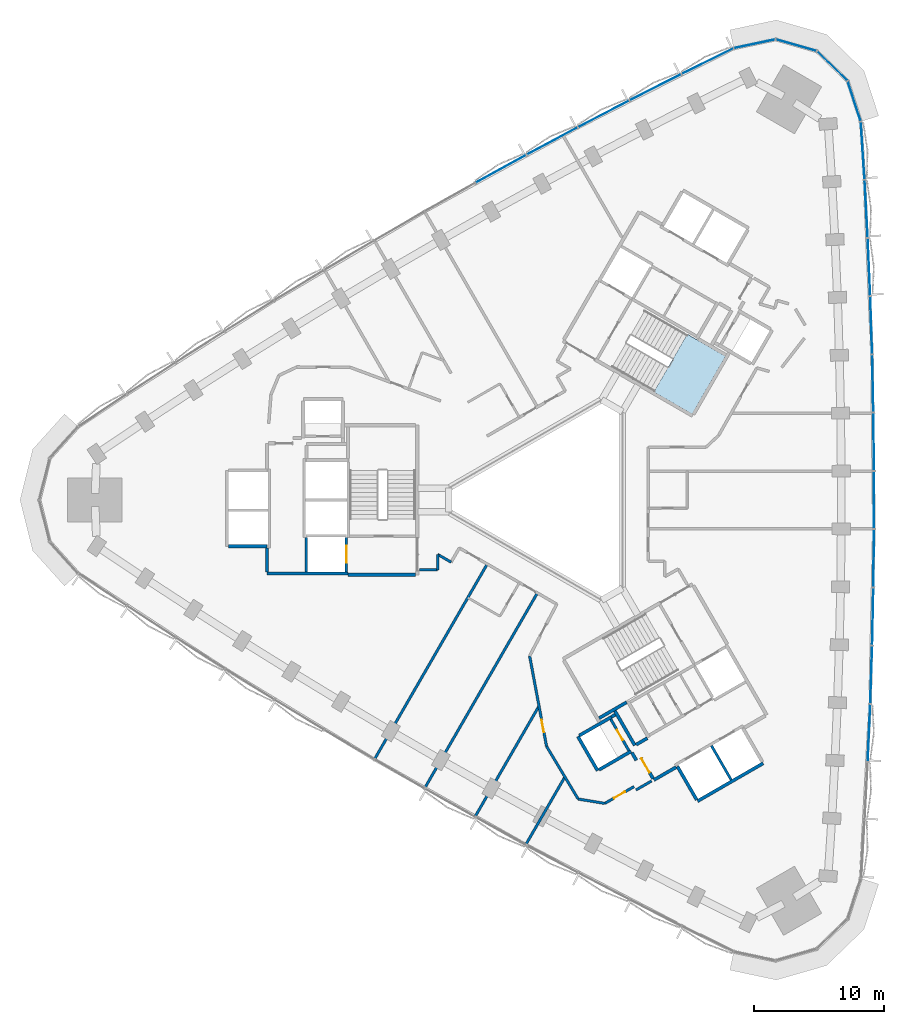
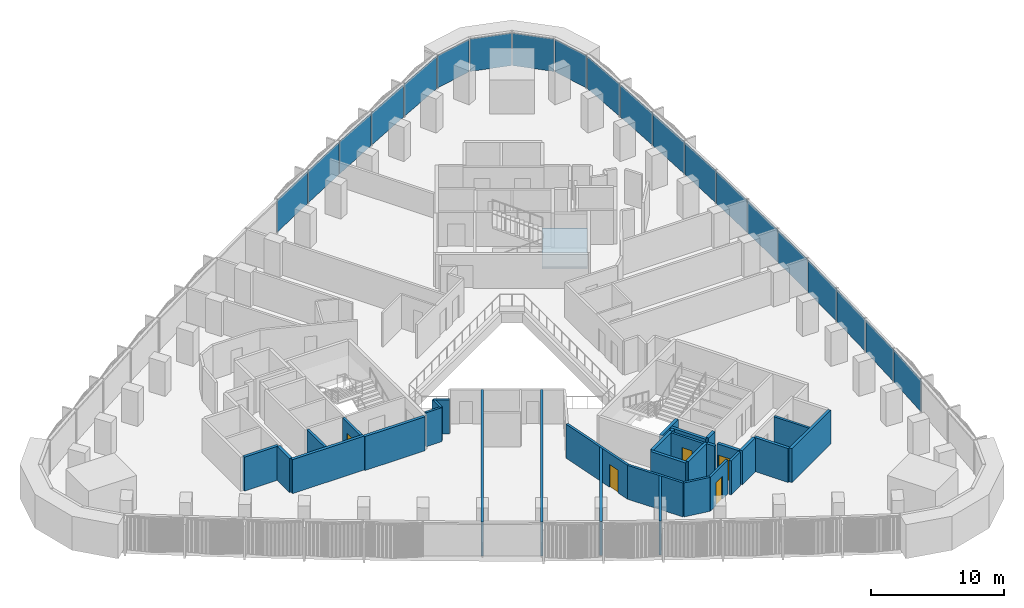
# One storey, part 8 of 15: 32 walls, 20 plates, 5 doors, 1 slab, 5 openings, 3 elements without a shape of their own.
"""IFC4 building model written with IfcOpenShell, lengths in metres."""

from ifc_helpers import new_model, si_unit, direction, frame, frame_2d, origin, origin_2d, place, context, subcontext, project, spatial, polyline, rectangle, outline, extrude, material, layer, layer_set, type_object, element, fill, aggregate, save


model = new_model("IFC4")

# Units and contexts
model_context = context("Model", 3, precision=1e-05, world=origin(), true_north=direction((0.0, 1.0)))
body_context = subcontext(model_context, "Body", "Model", "MODEL_VIEW")
ifc_project = project(units=[si_unit("LENGTHUNIT", "METRE"), si_unit("AREAUNIT", "SQUARE_METRE"), si_unit("VOLUMEUNIT", "CUBIC_METRE"), si_unit("PLANEANGLEUNIT", "RADIAN"), si_unit("MASSUNIT", "GRAM", prefix="KILO")], contexts=[model_context])

# Site, building, storey
site_placement = place(None, origin())
site = spatial("IfcSite", under=ifc_project, at=site_placement, CompositionType="ELEMENT")
building_placement = place(site_placement, origin())
building = spatial("IfcBuilding", under=site, at=building_placement, Name="Tamra Quay Hotel Tower", CompositionType="ELEMENT")
storey_placement = place(building_placement, frame((0.0, 0.0, 63.800048828125)))
storey = spatial("IfcBuildingStorey", under=building, at=storey_placement, Name="L14", CompositionType="ELEMENT", Elevation=63.800048828125)

# Stair, slab
ifc_material_1 = material(Name="Exit stair 2200 24 risers 150.0 going 342")
stair_type = type_object("IfcStairType", Name="Exit stair 2200 24 risers 150.0 going 342", PredefinedType="HALF_TURN_STAIR", material=ifc_material_1)
stair_placement = place(storey_placement, origin())
stair = element("IfcStair", 1, at=stair_placement, inside=storey, type_object=stair_type, Name="L14 Exit stair ST1", PredefinedType="HALF_TURN_STAIR")
ifc_material_2 = material(Name="Concrete M70", Category="concrete")
ifc_layer_1 = layer(ifc_material_2, 0.175048828125)
ifc_layer_set_1 = layer_set([ifc_layer_1], Name="Concrete M70 stair landing 180")
slab_type = type_object("IfcSlabType", Name="Concrete M70 stair landing 180", PredefinedType="LANDING", material=ifc_layer_set_1)
slab_placement = place(storey_placement, frame((0.0, 0.0, 1.625)))
slab = element("IfcSlab", 2, at=slab_placement, type_object=slab_type, Name="ST1 landing 1", PredefinedType="LANDING", context=body_context, shape_type="SweptSolid", body=[
    extrude(outline(polyline([(7.425048828125, 8.336669921875), (10.385009765625, 6.627685546875), (12.964599609375, 11.095458984375), (10.00439453125, 12.804443359375), (7.425048828125, 8.336669921875)])), origin(), (0.0, 0.0, 1.0), 0.175048828125),
])
aggregate(stair, [slab])

# Curtain wall, plates
ifc_material_3 = material(Name="Aluminium 6063 anodised dark grey", Category="aluminium")
curtain_wall_type_1 = type_object("IfcCurtainWallType", Name="CW1 CURTAIN WALL", PredefinedType="NOTDEFINED", material=ifc_material_3)
curtain_wall_1_placement = place(storey_placement, origin())
curtain_wall_1 = element("IfcCurtainWall", 3, at=curtain_wall_1_placement, inside=storey, type_object=curtain_wall_type_1, Name="CW1 east face L14", PredefinedType="NOTDEFINED")
ifc_material_4 = material(Name="Glass clear laminated low-iron", Category="glass")
ifc_layer_2 = layer(ifc_material_4, 0.035888671875)
ifc_layer_set_2 = layer_set([ifc_layer_2], Name="GLASS PANEL CW1 Z1")
plate_type_1 = type_object("IfcPlateType", Name="GLASS PANEL CW1 Z1", PredefinedType="CURTAIN_PANEL", material=ifc_layer_set_2)
plate_1_placement = place(storey_placement, frame((24.04052734375, -17.985107421875, 0.0), z_axis=(0.0, 0.0, 1.0), x_axis=(0.043285462035, 0.999062745165, 0.0)))
plate_1 = element("IfcPlate", 4, at=plate_1_placement, type_object=plate_type_1, Name="CW1 glass L14.E.3", PredefinedType="CURTAIN_PANEL", context=body_context, shape_type="SweptSolid", body=[
    extrude(rectangle(XDim=4.397216796875, YDim=0.035888671875, at=origin_2d()), origin(), (0.0, 0.0, 1.0), 2.985107421875),
])
plate_2_placement = place(storey_placement, frame((24.2109375, -13.490966796875, 0.0), z_axis=(0.0, 0.0, 1.0), x_axis=(0.032474799035, 0.999472554615, 0.0)))
plate_2 = element("IfcPlate", 5, at=plate_2_placement, type_object=plate_type_1, Name="CW1 glass L14.E.4", PredefinedType="CURTAIN_PANEL", context=body_context, shape_type="SweptSolid", body=[
    extrude(rectangle(XDim=4.397216796875, YDim=0.035888671875, at=origin_2d()), origin(), (0.0, 0.0, 1.0), 2.985107421875),
])
plate_3_placement = place(storey_placement, frame((24.332763671875, -8.99462890625, 0.0), z_axis=(0.0, 0.0, 1.0), x_axis=(0.021657440572, 0.999765450127, 0.0)))
plate_3 = element("IfcPlate", 6, at=plate_3_placement, type_object=plate_type_1, Name="CW1 glass L14.E.5", PredefinedType="CURTAIN_PANEL", context=body_context, shape_type="SweptSolid", body=[
    extrude(rectangle(XDim=4.39892578125, YDim=0.035888671875, at=origin_2d()), origin(), (0.0, 0.0, 1.0), 2.985107421875),
])
plate_4_placement = place(storey_placement, frame((24.40576171875, -4.4970703125, 0.0), z_axis=(0.0, 0.0, 1.0), x_axis=(0.010835825783, 0.999941290716, 0.0)))
plate_4 = element("IfcPlate", 7, at=plate_4_placement, type_object=plate_type_1, Name="CW1 glass L14.E.6", PredefinedType="CURTAIN_PANEL", context=body_context, shape_type="SweptSolid", body=[
    extrude(rectangle(XDim=4.397216796875, YDim=0.035888671875, at=origin_2d()), origin(), (0.0, 0.0, 1.0), 2.985107421875),
])
plate_5_placement = place(storey_placement, frame((24.43017578125, 0.0, 0.0), z_axis=(0.0, 0.0, 1.0), x_axis=(0.0, 1.0, 0.0)))
plate_5 = element("IfcPlate", 8, at=plate_5_placement, type_object=plate_type_1, Name="CW1 glass L14.E.7", PredefinedType="CURTAIN_PANEL", context=body_context, shape_type="SweptSolid", body=[
    extrude(rectangle(XDim=4.397216796875, YDim=0.035888671875, at=origin_2d()), origin(), (0.0, 0.0, 1.0), 2.985107421875),
])
plate_6_placement = place(storey_placement, frame((24.40576171875, 4.4970703125, 0.0), z_axis=(0.0, 0.0, 1.0), x_axis=(-0.010835825783, 0.999941290716, 0.0)))
plate_6 = element("IfcPlate", 9, at=plate_6_placement, type_object=plate_type_1, Name="CW1 glass L14.E.8", PredefinedType="CURTAIN_PANEL", context=body_context, shape_type="SweptSolid", body=[
    extrude(rectangle(XDim=4.397216796875, YDim=0.035888671875, at=origin_2d()), origin(), (0.0, 0.0, 1.0), 2.985107421875),
])
plate_7_placement = place(storey_placement, frame((24.332763671875, 8.99462890625, 0.0), z_axis=(0.0, 0.0, 1.0), x_axis=(-0.021657440572, 0.999765450127, 0.0)))
plate_7 = element("IfcPlate", 10, at=plate_7_placement, type_object=plate_type_1, Name="CW1 glass L14.E.9", PredefinedType="CURTAIN_PANEL", context=body_context, shape_type="SweptSolid", body=[
    extrude(rectangle(XDim=4.39892578125, YDim=0.035888671875, at=origin_2d()), origin(), (0.0, 0.0, 1.0), 2.985107421875),
])
plate_8_placement = place(storey_placement, frame((24.2109375, 13.490966796875, 0.0), z_axis=(0.0, 0.0, 1.0), x_axis=(-0.032474799035, 0.999472554615, 0.0)))
plate_8 = element("IfcPlate", 11, at=plate_8_placement, type_object=plate_type_1, Name="CW1 glass L14.E.10", PredefinedType="CURTAIN_PANEL", context=body_context, shape_type="SweptSolid", body=[
    extrude(rectangle(XDim=4.397216796875, YDim=0.035888671875, at=origin_2d()), origin(), (0.0, 0.0, 1.0), 2.985107421875),
])
plate_9_placement = place(storey_placement, frame((24.04052734375, 17.985107421875, 0.0), z_axis=(0.0, 0.0, 1.0), x_axis=(-0.043285462035, 0.999062745165, 0.0)))
plate_9 = element("IfcPlate", 12, at=plate_9_placement, type_object=plate_type_1, Name="CW1 glass L14.E.11", PredefinedType="CURTAIN_PANEL", context=body_context, shape_type="SweptSolid", body=[
    extrude(rectangle(XDim=4.397216796875, YDim=0.035888671875, at=origin_2d()), origin(), (0.0, 0.0, 1.0), 2.985107421875),
])
plate_10_placement = place(storey_placement, frame((23.821533203125, 22.477783203125, 0.0), z_axis=(0.0, 0.0, 1.0), x_axis=(-0.054062119595, 0.998537574268, 0.0)))
plate_10 = element("IfcPlate", 13, at=plate_10_placement, type_object=plate_type_1, Name="CW1 glass L14.E.12", PredefinedType="CURTAIN_PANEL", context=body_context, shape_type="SweptSolid", body=[
    extrude(rectangle(XDim=4.39892578125, YDim=0.035888671875, at=origin_2d()), origin(), (0.0, 0.0, 1.0), 2.985107421875),
])
plate_11_placement = place(storey_placement, frame((23.55419921875, 26.96728515625, 0.0), z_axis=(0.0, 0.0, 1.0), x_axis=(-0.064813097616, 0.997897420769, 0.0)))
plate_11 = element("IfcPlate", 14, at=plate_11_placement, type_object=plate_type_1, Name="CW1 glass L14.E.13", PredefinedType="CURTAIN_PANEL", context=body_context, shape_type="SweptSolid", body=[
    extrude(rectangle(XDim=4.396484375, YDim=0.035888671875, at=origin_2d()), origin(), (0.0, 0.0, 1.0), 2.985107421875),
])
plate_12_placement = place(storey_placement, frame((22.8974609375, 30.783447265625, 0.0), z_axis=(0.0, 0.0, 1.0), x_axis=(-0.309040551826, 0.951048861693, 0.0)))
plate_12 = element("IfcPlate", 15, at=plate_12_placement, type_object=plate_type_1, Name="CW1 glass L14.E.14", PredefinedType="CURTAIN_PANEL", context=body_context, shape_type="SweptSolid", body=[
    extrude(rectangle(XDim=3.207275390625, YDim=0.035888671875, at=origin_2d()), origin(), (0.0, 0.0, 1.0), 2.985107421875),
])
plate_13_placement = place(storey_placement, frame((21.197021484375, 33.5048828125, 0.0), z_axis=(0.0, 0.0, 1.0), x_axis=(-0.719345535851, 0.694652431113, 0.0)))
plate_13 = element("IfcPlate", 16, at=plate_13_placement, type_object=plate_type_1, Name="CW1 glass L14.E.15", PredefinedType="CURTAIN_PANEL", context=body_context, shape_type="SweptSolid", body=[
    extrude(rectangle(XDim=3.207275390625, YDim=0.035888671875, at=origin_2d()), origin(), (0.0, 0.0, 1.0), 2.985107421875),
])
plate_14_placement = place(storey_placement, frame((18.417724609375, 35.109619140625, 0.0), z_axis=(0.0, 0.0, 1.0), x_axis=(-0.96125942007, 0.275645292589, 0.0)))
plate_14 = element("IfcPlate", 17, at=plate_14_placement, type_object=plate_type_1, Name="CW1 glass L14.E.16", PredefinedType="CURTAIN_PANEL", context=body_context, shape_type="SweptSolid", body=[
    extrude(rectangle(XDim=3.207275390625, YDim=0.035888671875, at=origin_2d()), origin(), (0.0, 0.0, 1.0), 2.985107421875),
])
plate_15_placement = place(storey_placement, frame((15.210693359375, 35.2216796875, 0.0), z_axis=(0.0, 0.0, 1.0), x_axis=(-0.978152750379, -0.207887462165, 0.0)))
plate_15 = element("IfcPlate", 18, at=plate_15_placement, type_object=plate_type_1, Name="CW1 glass L14.E.17", PredefinedType="CURTAIN_PANEL", context=body_context, shape_type="SweptSolid", body=[
    extrude(rectangle(XDim=3.207275390625, YDim=0.035888671875, at=origin_2d()), origin(), (0.0, 0.0, 1.0), 2.985107421875),
])
aggregate(curtain_wall_1, [plate_1, plate_2, plate_3, plate_4, plate_5, plate_6, plate_7, plate_8, plate_9, plate_10, plate_11, plate_12, plate_13, plate_14, plate_15])

curtain_wall_type_2 = type_object("IfcCurtainWallType", Name="CW2 CURTAIN WALL", PredefinedType="NOTDEFINED", material=ifc_material_3)
curtain_wall_2_placement = place(storey_placement, origin())
curtain_wall_2 = element("IfcCurtainWall", 19, at=curtain_wall_2_placement, inside=storey, type_object=curtain_wall_type_2, Name="CW2 north-west face L14", PredefinedType="NOTDEFINED")
ifc_layer_3 = layer(ifc_material_4, 0.035888671875)
ifc_layer_set_3 = layer_set([ifc_layer_3], Name="GLASS PANEL CW2 Z1")
plate_type_2 = type_object("IfcPlateType", Name="GLASS PANEL CW2 Z1", PredefinedType="CURTAIN_PANEL", material=ifc_layer_set_3)
plate_16_placement = place(storey_placement, frame((11.5771484375, 33.88232421875, 0.0), z_axis=(0.0, 0.0, 1.0), x_axis=(-0.896611065565, -0.442818921351, 0.0)))
plate_16 = element("IfcPlate", 20, at=plate_16_placement, type_object=plate_type_2, Name="CW2 glass L14.NW.1", PredefinedType="CURTAIN_PANEL", context=body_context, shape_type="SweptSolid", body=[
    extrude(rectangle(XDim=4.396484375, YDim=0.035888671875, at=origin_2d()), origin(), (0.0, 0.0, 1.0), 2.985107421875),
])
plate_17_placement = place(storey_placement, frame((7.555419921875, 31.868896484375, 0.0), z_axis=(0.0, 0.0, 1.0), x_axis=(-0.891789965747, -0.452449618182, 0.0)))
plate_17 = element("IfcPlate", 21, at=plate_17_placement, type_object=plate_type_2, Name="CW2 glass L14.NW.2", PredefinedType="CURTAIN_PANEL", context=body_context, shape_type="SweptSolid", body=[
    extrude(rectangle(XDim=4.39892578125, YDim=0.035888671875, at=origin_2d()), origin(), (0.0, 0.0, 1.0), 2.985107421875),
])
plate_18_placement = place(storey_placement, frame((3.55517578125, 29.812255859375, 0.0), z_axis=(0.0, 0.0, 1.0), x_axis=(-0.886856448305, -0.462045062846, 0.0)))
plate_18 = element("IfcPlate", 22, at=plate_18_placement, type_object=plate_type_2, Name="CW2 glass L14.NW.3", PredefinedType="CURTAIN_PANEL", context=body_context, shape_type="SweptSolid", body=[
    extrude(rectangle(XDim=4.397216796875, YDim=0.035888671875, at=origin_2d()), origin(), (0.0, 0.0, 1.0), 2.985107421875),
])
plate_19_placement = place(storey_placement, frame((-0.421875, 27.712890625, 0.0), z_axis=(0.0, 0.0, 1.0), x_axis=(-0.881806022199, -0.47161227636, 0.0)))
plate_19 = element("IfcPlate", 23, at=plate_19_placement, type_object=plate_type_2, Name="CW2 glass L14.NW.4", PredefinedType="CURTAIN_PANEL", context=body_context, shape_type="SweptSolid", body=[
    extrude(rectangle(XDim=4.397216796875, YDim=0.035888671875, at=origin_2d()), origin(), (0.0, 0.0, 1.0), 2.985107421875),
])
plate_20_placement = place(storey_placement, frame((-4.376708984375, 25.570068359375, 0.0), z_axis=(0.0, 0.0, 1.0), x_axis=(-0.876650997922, -0.481126831347, 0.0)))
plate_20 = element("IfcPlate", 24, at=plate_20_placement, type_object=plate_type_2, Name="CW2 glass L14.NW.5", PredefinedType="CURTAIN_PANEL", context=body_context, shape_type="SweptSolid", body=[
    extrude(rectangle(XDim=4.39892578125, YDim=0.035888671875, at=origin_2d()), origin(), (0.0, 0.0, 1.0), 2.985107421875),
])
aggregate(curtain_wall_2, [plate_16, plate_17, plate_18, plate_19, plate_20])

# Wall, opening, door
ifc_layer_4 = layer(ifc_material_2, 0.199951171875)
ifc_layer_set_4 = layer_set([ifc_layer_4], Name="Concrete M70 core wall 200")
wall_type_1 = type_object("IfcWallType", Name="Concrete M70 core wall 200", PredefinedType="SHEAR", material=ifc_layer_set_4)
wall_1_placement = place(storey_placement, frame((-16.312255859375, -2.898193359375, 0.0), z_axis=(0.0, 0.0, 1.0), x_axis=(0.0, -1.0, 0.0)))
wall_1 = element("IfcWall", 25, at=wall_1_placement, inside=storey, type_object=wall_type_1, Name="CW2", PredefinedType="SHEAR", context=body_context, shape_type="SweptSolid", body=[
    extrude(rectangle(XDim=2.65087890625, YDim=0.199951171875, at=frame_2d((1.325439453125, 0.0))), origin(), (0.0, 0.0, 1.0), 3.125),
])
opening_1_placement = place(wall_1_placement, frame((0.65185546875, 0.0, 0.0)))
opening_1 = element("IfcOpeningElement", 26, at=opening_1_placement, cuts=wall_1, Name="Opening LD", PredefinedType="OPENING", context=body_context, shape_type="SweptSolid", body=[
    extrude(rectangle(XDim=1.300048828125, YDim=2.10009765625, at=frame_2d((0.64990234375, 1.050048828125))), frame((0.0, 0.10986328125, 0.0), z_axis=(0.0, -1.0, 0.0), x_axis=(1.0, 0.0, 0.0)), (0.0, 0.0, 1.0), 0.219970703125),
])
ifc_material_5 = material(Name="Landing door LD 1300 sliding to right")
door_type_1 = type_object("IfcDoorType", Name="Landing door LD 1300 sliding to right", OperationType="NOTDEFINED", PredefinedType="DOOR", material=ifc_material_5)
door_1_placement = place(opening_1_placement, origin())
door_1 = element("IfcDoor", 27, at=door_1_placement, inside=storey, type_object=door_type_1, Name="LD", OperationType="SLIDING_TO_RIGHT", OverallHeight=2.10009765625, OverallWidth=1.300048828125, PredefinedType="DOOR", context=body_context, shape_type="SweptSolid", body=[
    extrude(rectangle(XDim=1.300048828125, YDim=2.10009765625, at=frame_2d((0.64990234375, 1.050048828125))), frame((0.0, 0.02490234375, 0.0), z_axis=(0.0, -1.0, 0.0), x_axis=(1.0, 0.0, 0.0)), (0.0, 0.0, 1.0), 0.050048828125),
])
fill(opening_1, door_1)

# Walls
wall_2_placement = place(storey_placement, frame((-19.412353515625, -5.549072265625, 0.0), z_axis=(0.0, 0.0, 1.0), x_axis=(0.0, 1.0, 0.0)))
element("IfcWall", 28, at=wall_2_placement, inside=storey, type_object=wall_type_1, Name="CW2", PredefinedType="SHEAR", context=body_context, shape_type="SweptSolid", body=[
    extrude(rectangle(XDim=2.65087890625, YDim=0.199951171875, at=frame_2d((1.325439453125, 0.0))), origin(), (0.0, 0.0, 1.0), 3.125),
])
wall_3_placement = place(storey_placement, frame((11.87451171875, -18.967041015625, 0.0), z_axis=(0.0, 0.0, 1.0), x_axis=(0.49998131003, -0.866036194175, 0.0)))
element("IfcWall", 29, at=wall_3_placement, inside=storey, type_object=wall_type_1, Name="CW2", PredefinedType="SHEAR", context=body_context, shape_type="SweptSolid", body=[
    extrude(rectangle(XDim=3.0478515625, YDim=0.199951171875, at=frame_2d((1.52392578125, 0.0))), origin(), (0.0, 0.0, 1.0), 3.125),
])

# Wall, opening, door
wall_4_placement = place(storey_placement, frame((5.50341796875, -19.352294921875, 0.0), z_axis=(0.0, 0.0, 1.0), x_axis=(-0.499986818241, 0.866033014143, 0.0)))
wall_4 = element("IfcWall", 30, at=wall_4_placement, inside=storey, type_object=wall_type_1, Name="CW2", PredefinedType="SHEAR", context=body_context, shape_type="SweptSolid", body=[
    extrude(rectangle(XDim=2.7978515625, YDim=0.199951171875, at=frame_2d((1.39892578125, 0.0))), origin(), (0.0, 0.0, 1.0), 3.125),
])
opening_2_placement = place(wall_4_placement, frame((0.948974609375, 0.0, 0.0)))
opening_2 = element("IfcOpeningElement", 31, at=opening_2_placement, cuts=wall_4, Name="Opening D1", PredefinedType="OPENING", context=body_context, shape_type="SweptSolid", body=[
    extrude(rectangle(XDim=0.89990234375, YDim=2.10009765625, at=frame_2d((0.449951171875, 1.050048828125))), frame((0.0, 0.10986328125, 0.0), z_axis=(0.0, -1.0, 0.0), x_axis=(1.0, 0.0, 0.0)), (0.0, 0.0, 1.0), 0.219970703125),
])
ifc_material_6 = material(Name="Core door D1 900x2100 RH")
door_type_2 = type_object("IfcDoorType", Name="Core door D1 900x2100 RH", OperationType="NOTDEFINED", PredefinedType="DOOR", material=ifc_material_6)
door_2_placement = place(opening_2_placement, origin())
door_2 = element("IfcDoor", 32, at=door_2_placement, inside=storey, type_object=door_type_2, Name="D1", OperationType="SINGLE_SWING_RIGHT", OverallHeight=2.10009765625, OverallWidth=0.89990234375, PredefinedType="DOOR", context=body_context, shape_type="SweptSolid", body=[
    extrude(rectangle(XDim=0.89990234375, YDim=2.10009765625, at=frame_2d((0.449951171875, 1.050048828125))), frame((0.0, 0.02490234375, 0.0), z_axis=(0.0, -1.0, 0.0), x_axis=(1.0, 0.0, 0.0)), (0.0, 0.0, 1.0), 0.050048828125),
])
fill(opening_2, door_2)

# Walls
ifc_layer_5 = layer(ifc_material_2, 0.25)
ifc_layer_set_5 = layer_set([ifc_layer_5], Name="Concrete M70 core wall 250")
wall_type_2 = type_object("IfcWallType", Name="Concrete M70 core wall 250", PredefinedType="SHEAR", material=ifc_layer_set_5)
wall_5_placement = place(storey_placement, frame((-16.187255859375, -5.675048828125, 0.0), z_axis=(0.0, 0.0, 1.0), x_axis=(-1.0, 0.0, 0.0)))
element("IfcWall", 33, at=wall_5_placement, inside=storey, type_object=wall_type_2, Name="CW1", PredefinedType="SHEAR", context=body_context, shape_type="SweptSolid", body=[
    extrude(rectangle(XDim=6.25, YDim=0.25, at=frame_2d((3.125, 0.0))), origin(), (0.0, 0.0, 1.0), 3.125),
])
wall_6_placement = place(storey_placement, frame((-10.962646484375, -5.77490234375, 0.0), z_axis=(0.0, 0.0, 1.0), x_axis=(-1.0, 0.0, 0.0)))
element("IfcWall", 34, at=wall_6_placement, inside=storey, type_object=wall_type_2, Name="CW1", PredefinedType="SHEAR", context=body_context, shape_type="SweptSolid", body=[
    extrude(rectangle(XDim=5.224609375, YDim=0.25, at=frame_2d((2.6123046875, 0.0))), origin(), (0.0, 0.0, 1.0), 3.125),
])
wall_7_placement = place(storey_placement, frame((-22.437255859375, -3.574951171875, 0.0), z_axis=(0.0, 0.0, 1.0), x_axis=(-1.0, 0.0, 0.0)))
element("IfcWall", 35, at=wall_7_placement, inside=storey, type_object=wall_type_2, Name="CW1", PredefinedType="SHEAR", context=body_context, shape_type="SweptSolid", body=[
    extrude(rectangle(XDim=2.974609375, YDim=0.25, at=frame_2d((1.4873046875, 0.0))), origin(), (0.0, 0.0, 1.0), 3.125),
])
wall_8_placement = place(storey_placement, frame((-22.437255859375, -5.549560546875, 0.0), z_axis=(0.0, 0.0, 1.0), x_axis=(0.0, 1.0, 0.0)))
element("IfcWall", 36, at=wall_8_placement, inside=storey, type_object=wall_type_2, Name="CW1", PredefinedType="SHEAR", context=body_context, shape_type="SweptSolid", body=[
    extrude(rectangle(XDim=1.84912109375, YDim=0.25, at=frame_2d((0.924560546875, 0.0))), origin(), (0.0, 0.0, 1.0), 3.125),
])
wall_9_placement = place(storey_placement, frame((15.86474609375, -20.328369140625, 0.0), z_axis=(0.0, 0.0, 1.0), x_axis=(-0.86602852612, -0.499994591916, 0.0)))
element("IfcWall", 37, at=wall_9_placement, inside=storey, type_object=wall_type_2, Name="CW1", PredefinedType="SHEAR", context=body_context, shape_type="SweptSolid", body=[
    extrude(rectangle(XDim=5.85009765625, YDim=0.25, at=frame_2d((2.925048828125, 0.0))), origin(), (0.0, 0.0, 1.0), 3.125),
])
wall_10_placement = place(storey_placement, frame((10.73583984375, -23.144775390625, 0.0), z_axis=(0.0, 0.0, 1.0), x_axis=(-0.500023226632, 0.866011993467, 0.0)))
element("IfcWall", 38, at=wall_10_placement, inside=storey, type_object=wall_type_2, Name="CW1", PredefinedType="SHEAR", context=body_context, shape_type="SweptSolid", body=[
    extrude(rectangle(XDim=2.974365234375, YDim=0.25, at=frame_2d((1.4873046875, 0.0))), origin(), (0.0, 0.0, 1.0), 3.125),
])
wall_11_placement = place(storey_placement, frame((3.085205078125, -20.893798828125, 0.0), z_axis=(0.0, 0.0, 1.0), x_axis=(-0.499978833458, 0.866037623948, 0.0)))
element("IfcWall", 39, at=wall_11_placement, inside=storey, type_object=wall_type_2, Name="CW1", PredefinedType="SHEAR", context=body_context, shape_type="SweptSolid", body=[
    extrude(rectangle(XDim=3.050048828125, YDim=0.25, at=frame_2d((1.52490234375, 0.0))), origin(), (0.0, 0.0, 1.0), 3.125),
])
wall_12_placement = place(storey_placement, frame((1.6689453125, -18.189697265625, 0.0), z_axis=(0.0, 0.0, 1.0), x_axis=(0.866042235819, 0.499970844928, 0.0)))
element("IfcWall", 40, at=wall_12_placement, inside=storey, type_object=wall_type_2, Name="CW1", PredefinedType="SHEAR", context=body_context, shape_type="SweptSolid", body=[
    extrude(rectangle(XDim=2.864501953125, YDim=0.25, at=frame_2d((1.43212890625, 0.0))), origin(), (0.0, 0.0, 1.0), 3.125),
])
wall_13_placement = place(storey_placement, frame((5.6748046875, -19.39892578125, 0.0), z_axis=(0.0, 0.0, 1.0), x_axis=(-0.866026637627, -0.499997862916, 0.0)))
element("IfcWall", 41, at=wall_13_placement, inside=storey, type_object=wall_type_2, Name="CW1", PredefinedType="SHEAR", context=body_context, shape_type="SweptSolid", body=[
    extrude(rectangle(XDim=2.86474609375, YDim=0.25, at=frame_2d((1.432373046875, 0.0))), origin(), (0.0, 0.0, 1.0), 3.125),
])
wall_14_placement = place(storey_placement, frame((4.414306640625, -16.275634765625, 0.0), z_axis=(0.0, 0.0, 1.0), x_axis=(0.500003324108, -0.866023484601, 0.0)))
element("IfcWall", 42, at=wall_14_placement, inside=storey, type_object=wall_type_2, Name="CW1", PredefinedType="SHEAR", context=body_context, shape_type="SweptSolid", body=[
    extrude(rectangle(XDim=3.0849609375, YDim=0.25, at=frame_2d((1.54248046875, 0.0))), origin(), (0.0, 0.0, 1.0), 3.125),
])
wall_15_placement = place(storey_placement, frame((5.322021484375, -15.618896484375, 0.0), z_axis=(0.0, 0.0, 1.0), x_axis=(-0.866026229868, -0.499998569178, 0.0)))
element("IfcWall", 43, at=wall_15_placement, inside=storey, type_object=wall_type_2, Name="CW1", PredefinedType="SHEAR", context=body_context, shape_type="SweptSolid", body=[
    extrude(rectangle(XDim=2.44921875, YDim=0.25, at=frame_2d((1.224609375, 0.0))), origin(), (0.0, 0.0, 1.0), 3.125),
])
wall_16_placement = place(storey_placement, frame((9.139892578125, -20.63134765625, 0.0), z_axis=(0.0, 0.0, 1.0), x_axis=(-0.866043531843, -0.499968599967, 0.0)))
element("IfcWall", 44, at=wall_16_placement, inside=storey, type_object=wall_type_2, Name="CW1", PredefinedType="SHEAR", context=body_context, shape_type="SweptSolid", body=[
    extrude(rectangle(XDim=1.974853515625, YDim=0.25, at=frame_2d((0.9873046875, 0.0))), origin(), (0.0, 0.0, 1.0), 3.125),
])

# Wall, opening, door
wall_17_placement = place(storey_placement, frame((7.3671875, -21.51025390625, 0.0), z_axis=(0.0, 0.0, 1.0), x_axis=(-0.499983108224, 0.866035156036, 0.0)))
wall_17 = element("IfcWall", 45, at=wall_17_placement, inside=storey, type_object=wall_type_2, Name="CW1", PredefinedType="SHEAR", context=body_context, shape_type="SweptSolid", body=[
    extrude(rectangle(XDim=1.86474609375, YDim=0.25, at=frame_2d((0.932373046875, 0.0))), origin(), (0.0, 0.0, 1.0), 3.125),
])
opening_3_placement = place(wall_17_placement, frame((0.53466796875, 0.0, 0.0)))
opening_3 = element("IfcOpeningElement", 46, at=opening_3_placement, cuts=wall_17, Name="Opening FD3", PredefinedType="OPENING", context=body_context, shape_type="SweptSolid", body=[
    extrude(rectangle(XDim=1.25, YDim=2.10009765625, at=frame_2d((0.625, 1.050048828125))), frame((0.0, 0.135009765625, 0.0), z_axis=(0.0, -1.0, 0.0), x_axis=(1.0, 0.0, 0.0)), (0.0, 0.0, 1.0), 0.27001953125),
])
ifc_material_7 = material(Name="Core door FD3 1250x2100 LH")
door_type_3 = type_object("IfcDoorType", Name="Core door FD3 1250x2100 LH", OperationType="NOTDEFINED", PredefinedType="DOOR", material=ifc_material_7)
door_3_placement = place(opening_3_placement, origin())
door_3 = element("IfcDoor", 47, at=door_3_placement, inside=storey, type_object=door_type_3, Name="FD3", OperationType="SINGLE_SWING_LEFT", OverallHeight=2.10009765625, OverallWidth=1.25, PredefinedType="DOOR", context=body_context, shape_type="SweptSolid", body=[
    extrude(rectangle(XDim=1.25, YDim=2.10009765625, at=frame_2d((0.625, 1.050048828125))), frame((0.0, 0.02490234375, 0.0), z_axis=(0.0, -1.0, 0.0), x_axis=(1.0, 0.0, 0.0)), (0.0, 0.0, 1.0), 0.050048828125),
])
fill(opening_3, door_3)

# Walls
wall_18_placement = place(storey_placement, frame((6.0654296875, -18.884765625, 0.0), z_axis=(0.0, 0.0, 1.0), x_axis=(0.866017078145, 0.500014420154, 0.0)))
element("IfcWall", 48, at=wall_18_placement, inside=storey, type_object=wall_type_2, Name="CW1", PredefinedType="SHEAR", context=body_context, shape_type="SweptSolid", body=[
    extrude(rectangle(XDim=0.9892578125, YDim=0.25, at=frame_2d((0.49462890625, 0.0))), origin(), (0.0, 0.0, 1.0), 3.125),
])
wall_19_placement = place(storey_placement, frame((6.07958984375, -20.100341796875, 0.0), z_axis=(0.0, 0.0, 1.0), x_axis=(-0.500051773299, 0.865995510393, 0.0)))
element("IfcWall", 49, at=wall_19_placement, inside=storey, type_object=wall_type_2, Name="CW1", PredefinedType="SHEAR", context=body_context, shape_type="SweptSolid", body=[
    extrude(rectangle(XDim=0.6845703125, YDim=0.25, at=frame_2d((0.34228515625, 0.0))), origin(), (0.0, 0.0, 1.0), 3.125),
])
wall_20_placement = place(storey_placement, frame((4.144775390625, -16.748779296875, 0.0), z_axis=(0.0, 0.0, 1.0), x_axis=(0.866185586049, 0.49972245349, 0.0)))
element("IfcWall", 50, at=wall_20_placement, inside=storey, type_object=wall_type_2, Name="CW1", PredefinedType="SHEAR", context=body_context, shape_type="SweptSolid", body=[
    extrude(rectangle(XDim=0.344482421875, YDim=0.25, at=frame_2d((0.17236328125, 0.0))), origin(), (0.0, 0.0, 1.0), 3.125),
])
ifc_material_8 = material(Name="Partition corridor wall")
ifc_layer_6 = layer(ifc_material_8, 0.199951171875)
ifc_layer_set_6 = layer_set([ifc_layer_6], Name="Partition corridor wall")
wall_type_3 = type_object("IfcWallType", Name="Partition corridor wall", PredefinedType="PARTITIONING", material=ifc_layer_set_6)
wall_21_placement = place(storey_placement, frame((-10.65234375, -5.39990234375, 0.0), z_axis=(0.0, 0.0, 1.0), x_axis=(1.0, 0.0, 0.0)))
element("IfcWall", 51, at=wall_21_placement, inside=storey, type_object=wall_type_3, Name="W-C", PredefinedType="PARTITIONING", context=body_context, shape_type="SweptSolid", body=[
    extrude(rectangle(XDim=1.390380859375, YDim=0.199951171875, at=frame_2d((0.6953125, 0.0))), origin(), (0.0, 0.0, 1.0), 3.125),
])
for number, where, z_axis, x_axis, name in (
    (52, (-9.261962890625, -5.39990234375, 0.0), (0.0, 0.0, 1.0), (0.0, 1.0, 0.0), "W-C"),
    (53, (-9.261962890625, -4.199951171875, 0.0), (0.0, 0.0, 1.0), (0.865955154139, -0.50012165622, 0.0), "W-C"),
):
    element("IfcWall", number, at=place(storey_placement, frame(where, z_axis=z_axis, x_axis=x_axis)), inside=storey, type_object=wall_type_3, Name=name, PredefinedType="PARTITIONING", context=body_context, shape_type="SweptSolid", body=[
        extrude(rectangle(XDim=1.199951171875, YDim=0.199951171875, at=frame_2d((0.60009765625, 0.0))), origin(), (0.0, 0.0, 1.0), 3.125),
    ])

# Wall, opening, door
wall_22_placement = place(storey_placement, frame((-2.162109375, -12.0419921875, 0.0), z_axis=(0.0, 0.0, 1.0), x_axis=(0.183949825522, -0.982935634561, 0.0)))
wall_22 = element("IfcWall", 54, at=wall_22_placement, inside=storey, type_object=wall_type_3, Name="W-C", PredefinedType="PARTITIONING", context=body_context, shape_type="SweptSolid", body=[
    extrude(rectangle(XDim=7.093994140625, YDim=0.199951171875, at=frame_2d((3.546875, 0.0))), origin(), (0.0, 0.0, 1.0), 3.125),
])
opening_4_placement = place(wall_22_placement, frame((5.005859375, 0.0, 0.0)))
opening_4 = element("IfcOpeningElement", 55, at=opening_4_placement, cuts=wall_22, Name="Opening L14-D016", PredefinedType="OPENING", context=body_context, shape_type="SweptSolid", body=[
    extrude(rectangle(XDim=1.0, YDim=2.10009765625, at=frame_2d((0.5, 1.050048828125))), frame((0.0, 0.10986328125, 0.0), z_axis=(0.0, -1.0, 0.0), x_axis=(1.0, 0.0, 0.0)), (0.0, 0.0, 1.0), 0.219970703125),
])
ifc_material_9 = material(Name="Door guest room 1000x2100")
door_type_4 = type_object("IfcDoorType", Name="Door guest room 1000x2100", OperationType="NOTDEFINED", PredefinedType="DOOR", material=ifc_material_9)
door_4_placement = place(opening_4_placement, frame((1.0, 0.0, 0.0), z_axis=(0.0, 0.0, 1.0), x_axis=(-1.0, 0.0, 0.0)))
door_4 = element("IfcDoor", 56, at=door_4_placement, inside=storey, type_object=door_type_4, Name="L14-D016", OperationType="SINGLE_SWING_LEFT", OverallHeight=2.10009765625, OverallWidth=1.0, PredefinedType="DOOR", context=body_context, shape_type="SweptSolid", body=[
    extrude(rectangle(XDim=1.0, YDim=2.10009765625, at=frame_2d((0.5, 1.050048828125))), frame((0.0, 0.02490234375, 0.0), z_axis=(0.0, -1.0, 0.0), x_axis=(1.0, 0.0, 0.0)), (0.0, 0.0, 1.0), 0.050048828125),
])
fill(opening_4, door_4)

# Walls
wall_23_placement = place(storey_placement, frame((-0.85791015625, -19.01708984375, 0.0), z_axis=(0.0, 0.0, 1.0), x_axis=(0.514647068805, -0.857402119528, 0.0)))
element("IfcWall", 57, at=wall_23_placement, inside=storey, type_object=wall_type_3, Name="W-C", PredefinedType="PARTITIONING", context=body_context, shape_type="SweptSolid", body=[
    extrude(rectangle(XDim=4.745361328125, YDim=0.199951171875, at=frame_2d((2.37255859375, 0.0))), origin(), (0.0, 0.0, 1.0), 3.125),
])
wall_24_placement = place(storey_placement, frame((1.583984375, -23.0859375, 0.0), z_axis=(0.0, 0.0, 1.0), x_axis=(0.986633159246, -0.162957077405, 0.0)))
element("IfcWall", 58, at=wall_24_placement, inside=storey, type_object=wall_type_3, Name="W-C", PredefinedType="PARTITIONING", context=body_context, shape_type="SweptSolid", body=[
    extrude(rectangle(XDim=2.0869140625, YDim=0.199951171875, at=frame_2d((1.04345703125, 0.0))), origin(), (0.0, 0.0, 1.0), 3.125),
])

# Wall, opening, door
wall_25_placement = place(storey_placement, frame((3.64306640625, -23.426025390625, 0.0), z_axis=(0.0, 0.0, 1.0), x_axis=(0.866654350985, 0.498909045738, 0.0)))
wall_25 = element("IfcWall", 59, at=wall_25_placement, inside=storey, type_object=wall_type_3, Name="W-C", PredefinedType="PARTITIONING", context=body_context, shape_type="SweptSolid", body=[
    extrude(rectangle(XDim=2.607666015625, YDim=0.199951171875, at=frame_2d((1.3037109375, 0.0))), origin(), (0.0, 0.0, 1.0), 3.125),
])
opening_5_placement = place(wall_25_placement, frame((0.803955078125, 0.0, 0.0)))
opening_5 = element("IfcOpeningElement", 60, at=opening_5_placement, cuts=wall_25, Name="Opening L14-D017", PredefinedType="OPENING", context=body_context, shape_type="SweptSolid", body=[
    extrude(rectangle(XDim=1.0, YDim=2.10009765625, at=frame_2d((0.5, 1.050048828125))), frame((0.0, 0.10986328125, 0.0), z_axis=(0.0, -1.0, 0.0), x_axis=(1.0, 0.0, 0.0)), (0.0, 0.0, 1.0), 0.219970703125),
])
door_5_placement = place(opening_5_placement, frame((1.0, 0.0, 0.0), z_axis=(0.0, 0.0, 1.0), x_axis=(-1.0, 0.0, 0.0)))
door_5 = element("IfcDoor", 61, at=door_5_placement, inside=storey, type_object=door_type_4, Name="L14-D017", OperationType="SINGLE_SWING_LEFT", OverallHeight=2.10009765625, OverallWidth=1.0, PredefinedType="DOOR", context=body_context, shape_type="SweptSolid", body=[
    extrude(rectangle(XDim=1.0, YDim=2.10009765625, at=frame_2d((0.5, 1.050048828125))), frame((0.0, 0.02490234375, 0.0), z_axis=(0.0, -1.0, 0.0), x_axis=(1.0, 0.0, 0.0)), (0.0, 0.0, 1.0), 0.050048828125),
])
fill(opening_5, door_5)

# Walls
wall_26_placement = place(storey_placement, frame((6.053955078125, -22.385009765625, 0.0), z_axis=(0.0, 0.0, 1.0), x_axis=(0.86593101922, 0.500163443238, 0.0)))
element("IfcWall", 62, at=wall_26_placement, inside=storey, type_object=wall_type_3, Name="W-C", PredefinedType="PARTITIONING", context=body_context, shape_type="SweptSolid", body=[
    extrude(rectangle(XDim=1.3896484375, YDim=0.199951171875, at=frame_2d((0.69482421875, 0.0))), origin(), (0.0, 0.0, 1.0), 3.125),
])
ifc_material_10 = material(Name="Partition party wall")
ifc_layer_7 = layer(ifc_material_10, 0.199951171875)
ifc_layer_set_7 = layer_set([ifc_layer_7], Name="Partition party wall")
wall_type_4 = type_object("IfcWallType", Name="Partition party wall", PredefinedType="PARTITIONING", material=ifc_layer_set_7)
wall_27_placement = place(storey_placement, frame((-14.148193359375, -20.03515625, 0.0), z_axis=(0.0, 0.0, 1.0), x_axis=(0.500005855417, 0.866022023131, 0.0)))
element("IfcWall", 63, at=wall_27_placement, inside=storey, type_object=wall_type_4, Name="W-P", PredefinedType="PARTITIONING", context=body_context, shape_type="SweptSolid", body=[
    extrude(rectangle(XDim=17.424560546875, YDim=0.199951171875, at=frame_2d((8.71240234375, 0.0))), origin(), (0.0, 0.0, 1.0), 3.125),
])
wall_28_placement = place(storey_placement, frame((-10.2763671875, -22.2705078125, 0.0), z_axis=(0.0, 0.0, 1.0), x_axis=(0.49999372146, 0.866029028671, 0.0)))
element("IfcWall", 64, at=wall_28_placement, inside=storey, type_object=wall_type_4, Name="W-P", PredefinedType="PARTITIONING", context=body_context, shape_type="SweptSolid", body=[
    extrude(rectangle(XDim=17.425048828125, YDim=0.199951171875, at=frame_2d((8.71240234375, 0.0))), origin(), (0.0, 0.0, 1.0), 3.125),
])
wall_29_placement = place(storey_placement, frame((-6.38134765625, -24.463623046875, 0.0), z_axis=(0.0, 0.0, 1.0), x_axis=(0.500007577232, 0.866021029023, 0.0)))
element("IfcWall", 65, at=wall_29_placement, inside=storey, type_object=wall_type_4, Name="W-P", PredefinedType="PARTITIONING", context=body_context, shape_type="SweptSolid", body=[
    extrude(rectangle(XDim=9.882568359375, YDim=0.199951171875, at=frame_2d((4.94140625, 0.0))), origin(), (0.0, 0.0, 1.0), 3.125),
])
wall_30_placement = place(storey_placement, frame((-2.46240234375, -26.614990234375, 0.0), z_axis=(0.0, 0.0, 1.0), x_axis=(0.49992636536, 0.86606791259, 0.0)))
element("IfcWall", 66, at=wall_30_placement, inside=storey, type_object=wall_type_4, Name="W-P", PredefinedType="PARTITIONING", context=body_context, shape_type="SweptSolid", body=[
    extrude(rectangle(XDim=6.0458984375, YDim=0.199951171875, at=frame_2d((3.02294921875, 0.0))), origin(), (0.0, 0.0, 1.0), 3.125),
])

save(model, "model.ifc")
